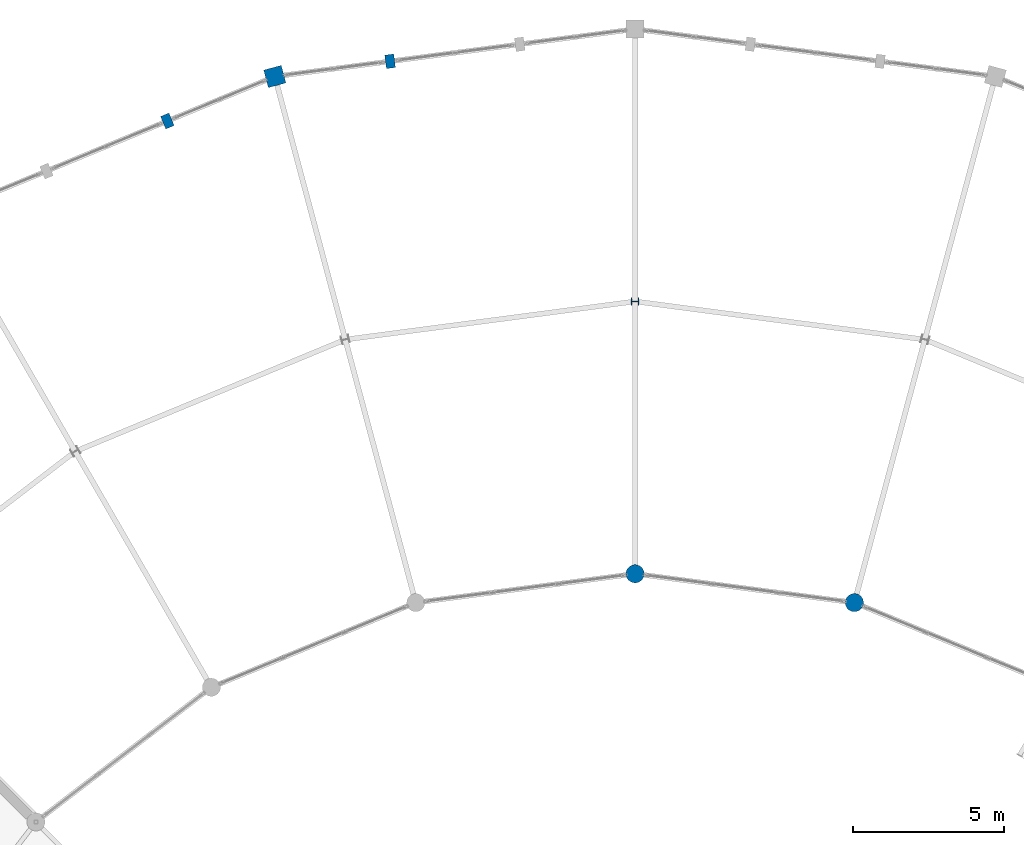
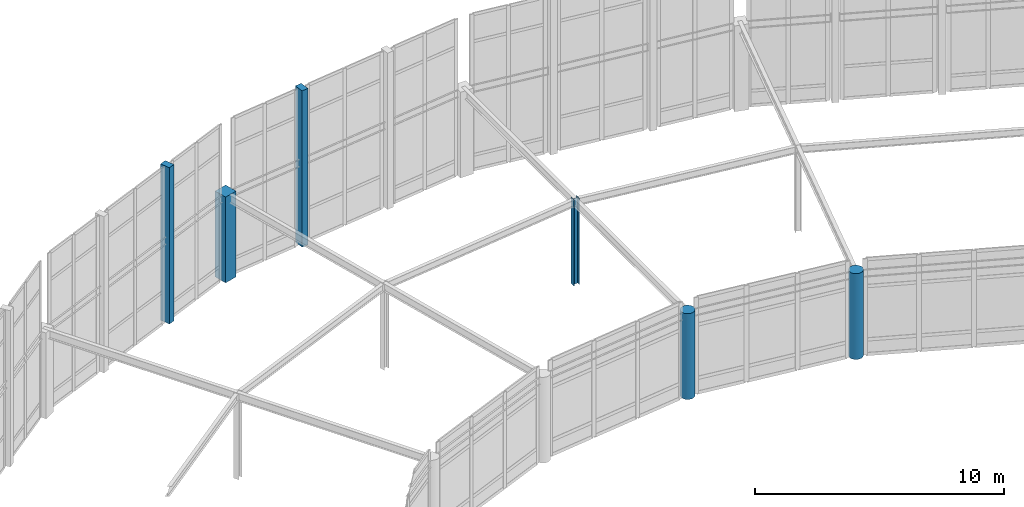
# One storey, part 5 of 93: 6 columns.
"""IFC4 building model written with IfcOpenShell, lengths in metres."""

import ifcopenshell
import ifcopenshell.guid

model = None  # the IFC model being written
_history = None  # IfcOwnerHistory: only IFC2X3 demands one
_inside = {}  # id of a spatial element -> (the spatial element, [elements in it])
_under = {}  # id of a project, library or spatial element -> (it, [spatial elements below it])
_declared = {}  # id of a project -> (the project, [libraries it declares])
_typed = {}  # id of a type object -> (the type object, [elements of that type])
_made_of = {}  # id of a material, layer set ... -> (it, [elements and type objects made of it])


def new_model(schema):
    """Start an empty IFC model of exactly this schema.

    Asked for "IFC4X3", IfcOpenShell would pick the latest addendum, in which some entities
    have other attributes; the version numbers below select the first issue.
    IFC2X3 requires an IfcOwnerHistory on every rooted entity: one is made here for all.
    """
    global model, _history
    if schema == "IFC4X3":
        model = ifcopenshell.file(schema_version=(4, 3, 0, 0))
    else:
        model = ifcopenshell.file(schema=schema)
    _inside.clear()
    _under.clear()
    _declared.clear()
    _typed.clear()
    _made_of.clear()
    _history = None
    if model.schema == "IFC2X3":
        org = make("IfcOrganization", Name="unknown")
        user = make(
            "IfcPersonAndOrganization",
            ThePerson=make("IfcPerson", FamilyName="unknown"),
            TheOrganization=org,
        )
        app = make(
            "IfcApplication",
            ApplicationDeveloper=org,
            Version="unknown",
            ApplicationFullName="unknown",
            ApplicationIdentifier="unknown",
        )
        _history = make(
            "IfcOwnerHistory",
            OwningUser=user,
            OwningApplication=app,
            ChangeAction="ADDED",
            CreationDate=0,
        )
    return model


def make(cls, **values):
    """One entity of the class cls with the attributes given. An attribute that is None is left unset."""
    return model.create_entity(
        cls, **{name: value for name, value in values.items() if value is not None}
    )


def rooted(cls, **values):
    """An entity with a GlobalId (a new one), such as an element, a storey or a relation."""
    return make(cls, GlobalId=ifcopenshell.guid.new(), OwnerHistory=_history, **values)


def si_unit(unit_type, name, prefix=None):
    """IfcSIUnit, for example si_unit("LENGTHUNIT", "METRE", prefix="MILLI")."""
    return make("IfcSIUnit", UnitType=unit_type, Prefix=prefix, Name=name)


def assignment(units):
    """IfcUnitAssignment: the units of a project."""
    return None if units is None else make("IfcUnitAssignment", Units=units)


def point(xyz):
    """IfcCartesianPoint."""
    return None if xyz is None else make("IfcCartesianPoint", Coordinates=xyz)


def direction(xyz):
    """IfcDirection."""
    return None if xyz is None else make("IfcDirection", DirectionRatios=xyz)


def frame(location, z_axis=None, x_axis=None):
    """IfcAxis2Placement3D, a coordinate frame: its origin and axes. An axis left out is left unset."""
    return make(
        "IfcAxis2Placement3D",
        Location=point(location),
        Axis=direction(z_axis),
        RefDirection=direction(x_axis),
    )


def frame_2d(location, x_axis=None):
    """IfcAxis2Placement2D, a coordinate frame in the plane: its origin and x axis."""
    return make(
        "IfcAxis2Placement2D", Location=point(location), RefDirection=direction(x_axis)
    )


def origin():
    """The frame at (0, 0, 0) with its axes left unset."""
    return frame((0.0, 0.0, 0.0))


def origin_2d():
    """The frame at (0, 0) in the plane with its x axis left unset."""
    return frame_2d((0.0, 0.0))


def place(relative_to, where):
    """IfcLocalPlacement: puts the frame where relative to a parent placement (None: the world)."""
    return make(
        "IfcLocalPlacement", PlacementRelTo=relative_to, RelativePlacement=where
    )


def context(
    kind, dimensions, precision=None, world=None, true_north=None, identifier=None
):
    """IfcGeometricRepresentationContext, for example the 3D "Model" context."""
    return make(
        "IfcGeometricRepresentationContext",
        ContextIdentifier=identifier,
        ContextType=kind,
        CoordinateSpaceDimension=dimensions,
        Precision=precision,
        WorldCoordinateSystem=world,
        TrueNorth=true_north,
    )


def subcontext(parent, identifier, kind, view, scale=None):
    """IfcGeometricRepresentationSubContext, for example "Body" below "Model"."""
    return make(
        "IfcGeometricRepresentationSubContext",
        ContextIdentifier=identifier,
        ContextType=kind,
        ParentContext=parent,
        TargetScale=scale,
        TargetView=view,
    )


def project(units=None, contexts=None):
    """IfcProject with its units and contexts."""
    return rooted(
        "IfcProject",
        Name="project",
        RepresentationContexts=contexts,
        UnitsInContext=assignment(units),
    )


def spatial(cls, under=None, at=None, **own):
    """A site, building, storey or space (cls), placed at a placement, below another one or the project."""
    s = rooted(cls, ObjectPlacement=at, **own)
    if under is not None:
        _under.setdefault(under.id(), (under, []))[1].append(s)
    return s


def profile(cls, at=None, kind="AREA", **sizes):
    """A parametric profile (cls). Its sizes go by their IFC names, for example OverallWidth=200.0."""
    return make(cls, ProfileType=kind, Position=at, **sizes)


def rectangle(**sizes):
    """IfcRectangleProfileDef."""
    return profile("IfcRectangleProfileDef", **sizes)


def circle(**sizes):
    """IfcCircleProfileDef."""
    return profile("IfcCircleProfileDef", **sizes)


def i_section(**sizes):
    """IfcIShapeProfileDef."""
    return profile("IfcIShapeProfileDef", **sizes)


def extrude(swept, where, along, depth):
    """IfcExtrudedAreaSolid: the profile swept, set in the frame where, extruded along a direction by depth."""
    return make(
        "IfcExtrudedAreaSolid",
        SweptArea=swept,
        Position=where,
        ExtrudedDirection=direction(along),
        Depth=depth,
    )


def shape(context_of_items, identifier, shape_type, items):
    """IfcShapeRepresentation: the items that make up one representation, for example the "Body"."""
    return make(
        "IfcShapeRepresentation",
        ContextOfItems=context_of_items,
        RepresentationIdentifier=identifier,
        RepresentationType=shape_type,
        Items=items,
    )


def material(Name=None, Category=None):
    """IfcMaterial."""
    return make("IfcMaterial", Name=Name, Category=Category)


def material_profile(
    of_material, cross_section, Name=None, Category=None, Priority=None
):
    """IfcMaterialProfile: a cross section and its material."""
    return make(
        "IfcMaterialProfile",
        Name=Name,
        Material=of_material,
        Profile=cross_section,
        Priority=Priority,
        Category=Category,
    )


def profile_set(profiles, Name=None, composite=None):
    """IfcMaterialProfileSet."""
    return make(
        "IfcMaterialProfileSet",
        Name=Name,
        MaterialProfiles=profiles,
        CompositeProfile=composite,
    )


def made_of(thing, what):
    """Note that an element or type object is made of a material, layer set ...; save() writes the relation."""
    if what is not None:
        _made_of.setdefault(what.id(), (what, []))[1].append(thing)
    return thing


def type_object(cls, material=None, **own):
    """A type object (cls), such as IfcWallType, which elements share."""
    return made_of(rooted(cls, **own), material)


def element(
    cls,
    number,
    at=None,
    inside=None,
    cuts=None,
    type_object=None,
    material=None,
    context=None,
    identifier="Body",
    shape_type=None,
    held_by="IfcProductDefinitionShape",
    body=None,
    shapes=None,
    **own,
):
    """One element of the class cls, such as IfcWall. Its Tag is "e" and its number.

    at: its placement. inside: the storey or other place that contains it. cuts: it is an
    opening in that element (IfcRelVoidsElement). A single representation is given by context,
    identifier, shape_type and body (its items); several are given by shapes. held_by: the class
    of the entity that holds the representations. save() writes the other relations.
    """
    e = rooted(cls, Tag="e%d" % number, ObjectPlacement=at, **own)
    if body is not None:
        shapes = [shape(context, identifier, shape_type, body)]
    if shapes is not None:
        e.Representation = make(held_by, Representations=shapes)
    if inside is not None:
        _inside.setdefault(inside.id(), (inside, []))[1].append(e)
    if cuts is not None:
        rooted(
            "IfcRelVoidsElement", RelatingBuildingElement=cuts, RelatedOpeningElement=e
        )
    if type_object is not None:
        _typed.setdefault(type_object.id(), (type_object, []))[1].append(e)
    return made_of(e, material)


def aggregate(whole, parts):
    """IfcRelAggregates: a whole, such as a stair, and the parts it consists of."""
    return rooted("IfcRelAggregates", RelatingObject=whole, RelatedObjects=parts)


def save(model, path):
    """Write the relations noted so far, then the file.

    IfcRelAggregates (storeys below a building ...), IfcRelContainedInSpatialStructure (elements
    in a storey), IfcRelDefinesByType, IfcRelAssociatesMaterial and IfcRelDeclares: one each for
    every whole, place, type object, material and project.
    """
    for whole, parts in _under.values():
        aggregate(whole, parts)
    for where, things in _inside.values():
        rooted(
            "IfcRelContainedInSpatialStructure",
            RelatedElements=things,
            RelatingStructure=where,
        )
    for kind, things in _typed.values():
        rooted("IfcRelDefinesByType", RelatedObjects=things, RelatingType=kind)
    for what, things in _made_of.values():
        rooted("IfcRelAssociatesMaterial", RelatedObjects=things, RelatingMaterial=what)
    for by, libraries in _declared.values():
        rooted("IfcRelDeclares", RelatingContext=by, RelatedDefinitions=libraries)
    model.write(path)


model = new_model("IFC4")

# Units and contexts
model_context = context("Model", 3, precision=1e-05, world=origin(), true_north=direction((0.0, 1.0)))
body_context = subcontext(model_context, "Body", "Model", "MODEL_VIEW")
ifc_project = project(units=[si_unit("LENGTHUNIT", "METRE"), si_unit("AREAUNIT", "SQUARE_METRE"), si_unit("VOLUMEUNIT", "CUBIC_METRE"), si_unit("PLANEANGLEUNIT", "RADIAN"), si_unit("MASSUNIT", "GRAM", prefix="KILO")], contexts=[model_context])

# Site, building, storey
site_placement = place(None, origin())
site = spatial("IfcSite", under=ifc_project, at=site_placement, CompositionType="ELEMENT")
building_placement = place(site_placement, origin())
building = spatial("IfcBuilding", under=site, at=building_placement, Name="Vondelvale Polytechnic", CompositionType="ELEMENT")
storey_placement = place(building_placement, frame((0.0, 0.0, 18.0)))
storey = spatial("IfcBuildingStorey", under=building, at=storey_placement, Name="L04", CompositionType="ELEMENT", Elevation=18.0)

# Columns
ifc_material_1 = material(Name="Glulam GL18 structural Tasmanian oak (fb = 42 MPa)", Category="wood")
ifc_material_profile_1 = material_profile(ifc_material_1, rectangle(XDim=0.300048828125, YDim=0.449951171875, at=origin_2d()), Name="GL-POST-300x450")
ifc_profile_set_1 = profile_set([ifc_material_profile_1], Name="Glulam GL18 structural Tasmanian oak (fb = 42 MPa)")
column_type_1 = type_object("IfcColumnType", Name="COL-GLULAM-300x450", PredefinedType="PILASTER", material=ifc_profile_set_1)
for number, where, z_axis, x_axis, name in (
    (1, (93.904052734375, 116.93408203125, 0.0), (0.0, 0.0, 1.0), (0.991444861374, 0.13052619222, 0.0), "L04 ring outer glulam timber post C06-P2"),
    (2, (86.544189453125, 114.962158203125, 0.0), (0.0, 0.0, 1.0), (0.923879532511, 0.382683432365, 0.0), "L04 ring outer glulam timber post C07-P1"),
):
    element("IfcColumn", number, at=place(storey_placement, frame(where, z_axis=z_axis, x_axis=x_axis)), inside=storey, type_object=column_type_1, Name=name, PredefinedType="PILASTER", context=body_context, shape_type="SweptSolid", body=[
        extrude(rectangle(XDim=0.300048828125, YDim=0.449951171875, at=origin_2d()), origin(), (0.0, 0.0, 1.0), 7.6513671875),
    ])
ifc_material_2 = material(Name="Concrete N50 (f'c = 50 MPa)", Category="concrete")
ifc_material_profile_2 = material_profile(ifc_material_2, rectangle(XDim=0.60009765625, YDim=0.60009765625, at=origin_2d()), Name="RC-COL-600x600")
ifc_profile_set_2 = profile_set([ifc_material_profile_2], Name="Concrete N50 (f'c = 50 MPa)")
column_type_2 = type_object("IfcColumnType", Name="COL-RC600", PredefinedType="COLUMN", material=ifc_profile_set_2)
column_1_placement = place(storey_placement, frame((90.09423828125, 116.4326171875, 0.0), z_axis=(0.0, 0.0, 1.0), x_axis=(-0.258819045103, 0.965925826289, 0.0)))
element("IfcColumn", 3, at=column_1_placement, inside=storey, type_object=column_type_2, Name="L04 courtyard ring column S07-RO", PredefinedType="COLUMN", context=body_context, shape_type="SweptSolid", body=[
    extrude(rectangle(XDim=0.60009765625, YDim=0.60009765625, at=origin_2d()), origin(), (0.0, 0.0, 1.0), 4.199951171875),
])
ifc_material_profile_3 = material_profile(ifc_material_2, circle(Radius=0.300048828125, at=origin_2d()), Name="RC-COL-D600")
ifc_profile_set_3 = profile_set([ifc_material_profile_3], Name="Concrete N50 (f'c = 50 MPa)")
column_type_3 = type_object("IfcColumnType", Name="COL-RCD600", PredefinedType="COLUMN", material=ifc_profile_set_3)
for number, where, z_axis, x_axis, name in (
    (4, (109.246826171875, 99.0458984375, 0.0), (0.0, 0.0, 1.0), (0.258819045103, 0.965925826289, 0.0), "L04 courtyard ring column S05-RI"),
    (5, (102.0, 100.0, 0.0), (0.0, 0.0, 1.0), (0.0, 1.0, 0.0), "L04 courtyard ring column S06-RI"),
):
    element("IfcColumn", number, at=place(storey_placement, frame(where, z_axis=z_axis, x_axis=x_axis)), inside=storey, type_object=column_type_3, Name=name, PredefinedType="COLUMN", context=body_context, shape_type="SweptSolid", body=[
        extrude(circle(Radius=0.300048828125, at=origin_2d()), origin(), (0.0, 0.0, 1.0), 4.199951171875),
    ])
ifc_material_3 = material(Name="Steel 300PLUS (fy = 300 MPa)", Category="steel")
ifc_material_profile_4 = material_profile(ifc_material_3, i_section(OverallWidth=0.25390625, OverallDepth=0.25390625, WebThickness=0.008544921875, FlangeThickness=0.01416015625, FilletRadius=0.013916015625, at=origin_2d()), Name="250UC72.9")
ifc_profile_set_4 = profile_set([ifc_material_profile_4], Name="Steel 300PLUS (fy = 300 MPa)")
column_type_4 = type_object("IfcColumnType", Name="COL-UC250L", PredefinedType="COLUMN", material=ifc_profile_set_4)
column_2_placement = place(storey_placement, frame((102.0, 109.0, 0.0), z_axis=(0.0, 0.0, 1.0), x_axis=(0.0, 1.0, 0.0)))
element("IfcColumn", 6, at=column_2_placement, inside=storey, type_object=column_type_4, Name="L04 courtyard ring column S06-RM", PredefinedType="COLUMN", context=body_context, shape_type="SweptSolid", body=[
    extrude(i_section(OverallWidth=0.25390625, OverallDepth=0.25390625, WebThickness=0.008544921875, FlangeThickness=0.01416015625, FilletRadius=0.013916015625, at=origin_2d()), origin(), (0.0, 0.0, 1.0), 4.199951171875),
])

save(model, "model.ifc")
